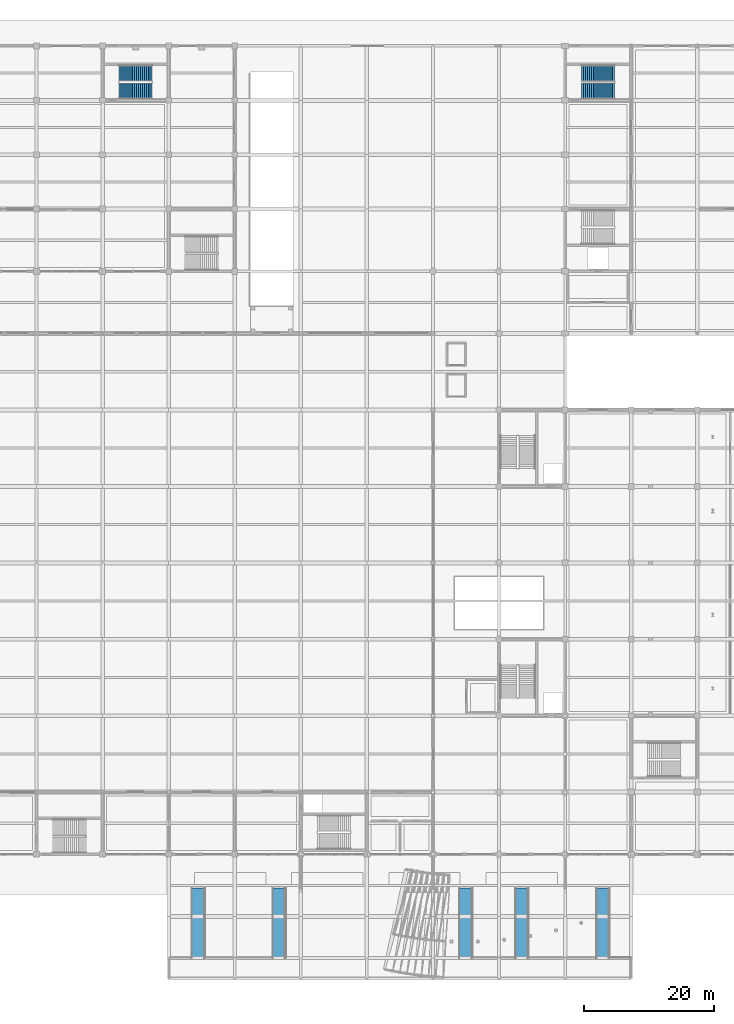
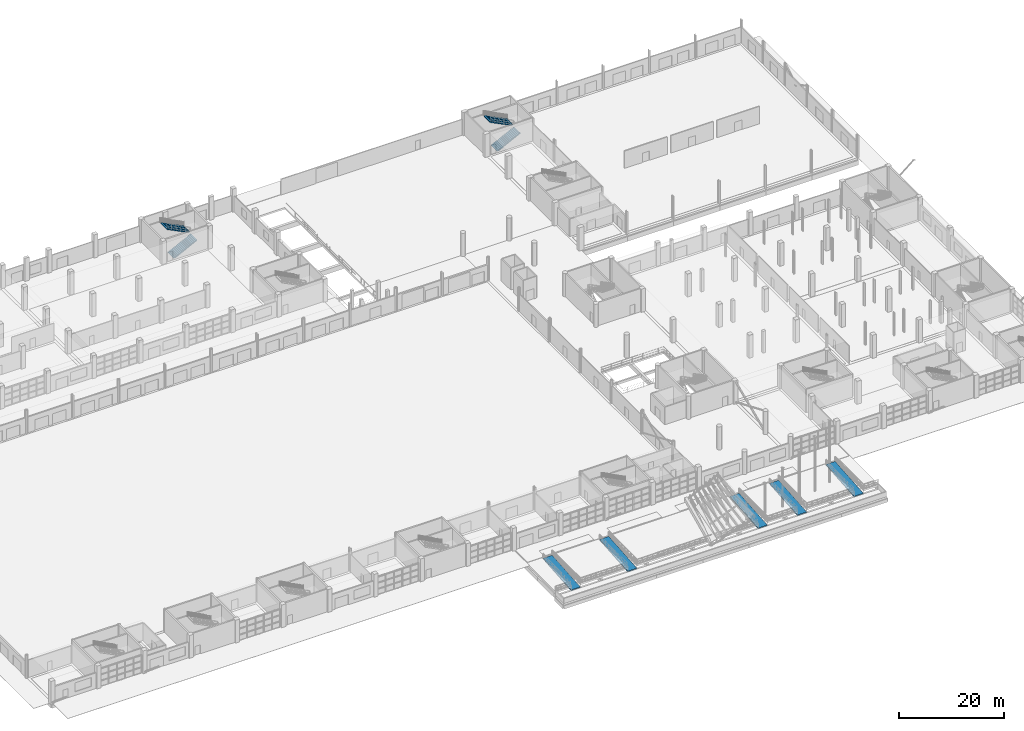
# One storey, part 102 of 124: 5 ramp flights, 4 stair flights, 7 elements without a shape of their own.
"""IFC4 building model written with IfcOpenShell, lengths in metres."""

from ifc_helpers import new_model, si_unit, direction, frame, origin, place, context, subcontext, project, spatial, polyline, outline, extrude, material, layer, layer_set, type_object, element, aggregate, save


model = new_model("IFC4")

# Units and contexts
model_context = context("Model", 3, precision=1e-05, world=origin(), true_north=direction((0.0, 1.0)))
body_context = subcontext(model_context, "Body", "Model", "MODEL_VIEW")
ifc_project = project(units=[si_unit("LENGTHUNIT", "METRE"), si_unit("AREAUNIT", "SQUARE_METRE"), si_unit("VOLUMEUNIT", "CUBIC_METRE"), si_unit("PLANEANGLEUNIT", "RADIAN"), si_unit("MASSUNIT", "GRAM", prefix="KILO")], contexts=[model_context])

# Site, building, storey
site_placement = place(None, origin())
site = spatial("IfcSite", under=ifc_project, at=site_placement, CompositionType="ELEMENT")
building_placement = place(site_placement, origin())
building = spatial("IfcBuilding", under=site, at=building_placement, Name="Brelvane Convention Centre", CompositionType="ELEMENT")
storey_placement = place(building_placement, origin())
storey = spatial("IfcBuildingStorey", under=building, at=storey_placement, Name="L00", CompositionType="ELEMENT", Elevation=0.0)

# Stair, stair flights
ifc_material_1 = material(Name="Concrete M40", Category="concrete")
stair_type = type_object("IfcStairType", Name="Exit Stair ST-CORE", PredefinedType="HALF_TURN_STAIR", material=ifc_material_1)
stair_1_placement = place(storey_placement, origin())
stair_1 = element("IfcStair", 1, at=stair_1_placement, inside=storey, type_object=stair_type, Name="Exit Stair ST-11 (L00 to L01)", PredefinedType="HALF_TURN_STAIR")
ifc_material_2 = material(Name="Concrete M40", Category="concrete")
stair_flight_type = type_object("IfcStairFlightType", Name="Stair Flight SF-C18", PredefinedType="STRAIGHT", material=ifc_material_2)
stair_flight_1_placement = place(storey_placement, frame((165.75, 137.030029296875, 0.0), z_axis=(0.0, 0.0, 1.0), x_axis=(1.0, 0.0, 0.0)))
stair_flight_1 = element("IfcStairFlight", 2, at=stair_flight_1_placement, type_object=stair_flight_type, Name="Stair ST-11 L00 Flight 1", NumberOfRisers=18, NumberOfTreads=17, PredefinedType="STRAIGHT", RiserHeight=0.15, TreadLength=0.3, context=body_context, shape_type="SweptSolid", body=[
    extrude(outline(polyline([(0.0, 0.0), (0.0, 0.14990234375), (0.300048828125, 0.14990234375), (0.300048828125, 0.300048828125), (0.60009765625, 0.300048828125), (0.60009765625, 0.449951171875), (0.89990234375, 0.449951171875), (0.89990234375, 0.60009765625), (1.199951171875, 0.60009765625), (1.199951171875, 0.75), (1.5, 0.75), (1.5, 0.89990234375), (1.800048828125, 0.89990234375), (1.800048828125, 1.050048828125), (2.10009765625, 1.050048828125), (2.10009765625, 1.199951171875), (2.39990234375, 1.199951171875), (2.39990234375, 1.35009765625), (2.699951171875, 1.35009765625), (2.699951171875, 1.5), (3.0, 1.5), (3.0, 1.64990234375), (3.300048828125, 1.64990234375), (3.300048828125, 1.800048828125), (3.60009765625, 1.800048828125), (3.60009765625, 1.949951171875), (3.89990234375, 1.949951171875), (3.89990234375, 2.10009765625), (4.199951171875, 2.10009765625), (4.199951171875, 2.25), (4.5, 2.25), (4.5, 2.39990234375), (4.800048828125, 2.39990234375), (4.800048828125, 2.550048828125), (5.10009765625, 2.550048828125), (5.10009765625, 2.699951171875), (5.10009765625, 2.348876953125), (0.40234375, 0.0), (0.0, 0.0)])), frame((0.0, 1.18994140625, 0.0), z_axis=(0.0, -1.0, 0.0), x_axis=(1.0, 0.0, 0.0)), (0.0, 0.0, 1.0), 2.3798828125),
])
stair_flight_2_placement = place(storey_placement, frame((170.85009765625, 139.77001953125, 2.699951171875), z_axis=(0.0, 0.0, 1.0), x_axis=(-1.0, 0.0, 0.0)))
stair_flight_2 = element("IfcStairFlight", 3, at=stair_flight_2_placement, type_object=stair_flight_type, Name="Stair ST-11 L00 Flight 2", NumberOfRisers=18, NumberOfTreads=17, PredefinedType="STRAIGHT", RiserHeight=0.15, TreadLength=0.3, context=body_context, shape_type="SweptSolid", body=[
    extrude(outline(polyline([(0.0, 0.0), (0.0, 0.14990234375), (0.300048828125, 0.14990234375), (0.300048828125, 0.300048828125), (0.60009765625, 0.300048828125), (0.60009765625, 0.449951171875), (0.89990234375, 0.449951171875), (0.89990234375, 0.60009765625), (1.199951171875, 0.60009765625), (1.199951171875, 0.75), (1.5, 0.75), (1.5, 0.89990234375), (1.800048828125, 0.89990234375), (1.800048828125, 1.050048828125), (2.10009765625, 1.050048828125), (2.10009765625, 1.199951171875), (2.39990234375, 1.199951171875), (2.39990234375, 1.35009765625), (2.699951171875, 1.35009765625), (2.699951171875, 1.5), (3.0, 1.5), (3.0, 1.64990234375), (3.300048828125, 1.64990234375), (3.300048828125, 1.800048828125), (3.60009765625, 1.800048828125), (3.60009765625, 1.949951171875), (3.89990234375, 1.949951171875), (3.89990234375, 2.10009765625), (4.199951171875, 2.10009765625), (4.199951171875, 2.25), (4.5, 2.25), (4.5, 2.39990234375), (4.800048828125, 2.39990234375), (4.800048828125, 2.550048828125), (5.10009765625, 2.550048828125), (5.10009765625, 2.699951171875), (5.10009765625, 2.348876953125), (0.40234375, 0.0), (0.0, 0.0)])), frame((0.0, 1.18994140625, 0.0), z_axis=(0.0, -1.0, 0.0), x_axis=(1.0, 0.0, 0.0)), (0.0, 0.0, 1.0), 2.3798828125),
])
aggregate(stair_1, [stair_flight_1, stair_flight_2])

stair_2_placement = place(storey_placement, origin())
stair_2 = element("IfcStair", 4, at=stair_2_placement, inside=storey, type_object=stair_type, Name="Exit Stair ST-12 (L00 to L01)", PredefinedType="HALF_TURN_STAIR")
stair_flight_3_placement = place(storey_placement, frame((94.35009765625, 137.030029296875, 0.0), z_axis=(0.0, 0.0, 1.0), x_axis=(1.0, 0.0, 0.0)))
stair_flight_3 = element("IfcStairFlight", 5, at=stair_flight_3_placement, type_object=stair_flight_type, Name="Stair ST-12 L00 Flight 1", NumberOfRisers=18, NumberOfTreads=17, PredefinedType="STRAIGHT", RiserHeight=0.15, TreadLength=0.3, context=body_context, shape_type="SweptSolid", body=[
    extrude(outline(polyline([(0.0, 0.0), (0.0, 0.14990234375), (0.300048828125, 0.14990234375), (0.300048828125, 0.300048828125), (0.60009765625, 0.300048828125), (0.60009765625, 0.449951171875), (0.89990234375, 0.449951171875), (0.89990234375, 0.60009765625), (1.199951171875, 0.60009765625), (1.199951171875, 0.75), (1.5, 0.75), (1.5, 0.89990234375), (1.800048828125, 0.89990234375), (1.800048828125, 1.050048828125), (2.10009765625, 1.050048828125), (2.10009765625, 1.199951171875), (2.39990234375, 1.199951171875), (2.39990234375, 1.35009765625), (2.699951171875, 1.35009765625), (2.699951171875, 1.5), (3.0, 1.5), (3.0, 1.64990234375), (3.300048828125, 1.64990234375), (3.300048828125, 1.800048828125), (3.60009765625, 1.800048828125), (3.60009765625, 1.949951171875), (3.89990234375, 1.949951171875), (3.89990234375, 2.10009765625), (4.199951171875, 2.10009765625), (4.199951171875, 2.25), (4.5, 2.25), (4.5, 2.39990234375), (4.800048828125, 2.39990234375), (4.800048828125, 2.550048828125), (5.10009765625, 2.550048828125), (5.10009765625, 2.699951171875), (5.10009765625, 2.348876953125), (0.40234375, 0.0), (0.0, 0.0)])), frame((0.0, 1.18994140625, 0.0), z_axis=(0.0, -1.0, 0.0), x_axis=(1.0, 0.0, 0.0)), (0.0, 0.0, 1.0), 2.3798828125),
])
stair_flight_4_placement = place(storey_placement, frame((99.449951171875, 139.77001953125, 2.699951171875), z_axis=(0.0, 0.0, 1.0), x_axis=(-1.0, 0.0, 0.0)))
stair_flight_4 = element("IfcStairFlight", 6, at=stair_flight_4_placement, type_object=stair_flight_type, Name="Stair ST-12 L00 Flight 2", NumberOfRisers=18, NumberOfTreads=17, PredefinedType="STRAIGHT", RiserHeight=0.15, TreadLength=0.3, context=body_context, shape_type="SweptSolid", body=[
    extrude(outline(polyline([(0.0, 0.0), (0.0, 0.14990234375), (0.300048828125, 0.14990234375), (0.300048828125, 0.300048828125), (0.60009765625, 0.300048828125), (0.60009765625, 0.449951171875), (0.89990234375, 0.449951171875), (0.89990234375, 0.60009765625), (1.199951171875, 0.60009765625), (1.199951171875, 0.75), (1.5, 0.75), (1.5, 0.89990234375), (1.800048828125, 0.89990234375), (1.800048828125, 1.050048828125), (2.10009765625, 1.050048828125), (2.10009765625, 1.199951171875), (2.39990234375, 1.199951171875), (2.39990234375, 1.35009765625), (2.699951171875, 1.35009765625), (2.699951171875, 1.5), (3.0, 1.5), (3.0, 1.64990234375), (3.300048828125, 1.64990234375), (3.300048828125, 1.800048828125), (3.60009765625, 1.800048828125), (3.60009765625, 1.949951171875), (3.89990234375, 1.949951171875), (3.89990234375, 2.10009765625), (4.199951171875, 2.10009765625), (4.199951171875, 2.25), (4.5, 2.25), (4.5, 2.39990234375), (4.800048828125, 2.39990234375), (4.800048828125, 2.550048828125), (5.10009765625, 2.550048828125), (5.10009765625, 2.699951171875), (5.10009765625, 2.348876953125), (0.40234375, 0.0), (0.0, 0.0)])), frame((0.0, 1.18994140625, 0.0), z_axis=(0.0, -1.0, 0.0), x_axis=(1.0, 0.0, 0.0)), (0.0, 0.0, 1.0), 2.3798828125),
])
aggregate(stair_2, [stair_flight_3, stair_flight_4])

# Ramp, ramp flight
ifc_material_3 = material(Name="Concrete M40", Category="concrete")
ramp_type_1 = type_object("IfcRampType", Name="Accessible Plinth Ramp AR-01", PredefinedType="STRAIGHT_RUN_RAMP", material=ifc_material_3)
ramp_1_placement = place(storey_placement, origin())
ramp_1 = element("IfcRamp", 7, at=ramp_1_placement, inside=storey, type_object=ramp_type_1, Name="Accessible Pedestrian Plinth Ramp AR-01", PredefinedType="STRAIGHT_RUN_RAMP")
ifc_material_4 = material(Name="Concrete M40", Category="concrete")
ifc_layer = layer(ifc_material_4, 0.239990234375)
ifc_layer_set = layer_set([ifc_layer], Name="Concrete M40")
ramp_flight_type = type_object("IfcRampFlightType", Name="Accessible Ramp Flight ARF-1", PredefinedType="STRAIGHT", material=ifc_layer_set)
ramp_flight_1_placement = place(storey_placement, frame((105.5, 3.199951171875, -0.89990234375), z_axis=(0.0, -0.083036158149, 0.99654653501), x_axis=(1.0, 0.0, 0.0)))
ramp_flight_1 = element("IfcRampFlight", 8, at=ramp_flight_1_placement, type_object=ramp_flight_type, Name="Accessible Plinth Ramp AR-01 Flight 1", PredefinedType="STRAIGHT", context=body_context, shape_type="SweptSolid", body=[
    extrude(outline(polyline([(0.0, 0.0), (2.0400390625, 0.0), (2.0400390625, 10.837475670937902), (0.0, 10.837475670937902), (0.0, 0.0)])), origin(), (0.0, 0.0, -1.0), 0.239990234375),
])
aggregate(ramp_1, [ramp_flight_1])

ifc_material_5 = material(Name="Concrete M40", Category="concrete")
ramp_type_2 = type_object("IfcRampType", Name="Accessible Plinth Ramp AR-02", PredefinedType="STRAIGHT_RUN_RAMP", material=ifc_material_5)
ramp_2_placement = place(storey_placement, origin())
ramp_2 = element("IfcRamp", 9, at=ramp_2_placement, inside=storey, type_object=ramp_type_2, Name="Accessible Pedestrian Plinth Ramp AR-02", PredefinedType="STRAIGHT_RUN_RAMP")
ramp_flight_2_placement = place(storey_placement, frame((118.0, 3.199951171875, -0.89990234375), z_axis=(0.0, -0.083036158149, 0.99654653501), x_axis=(1.0, 0.0, 0.0)))
ramp_flight_2 = element("IfcRampFlight", 10, at=ramp_flight_2_placement, type_object=ramp_flight_type, Name="Accessible Plinth Ramp AR-02 Flight 1", PredefinedType="STRAIGHT", context=body_context, shape_type="SweptSolid", body=[
    extrude(outline(polyline([(0.0, 0.0), (2.0400390625, 0.0), (2.0400390625, 10.837475670937902), (0.0, 10.837475670937902), (0.0, 0.0)])), origin(), (0.0, 0.0, -1.0), 0.239990234375),
])
aggregate(ramp_2, [ramp_flight_2])

ifc_material_6 = material(Name="Concrete M40", Category="concrete")
ramp_type_3 = type_object("IfcRampType", Name="Accessible Plinth Ramp AR-03", PredefinedType="STRAIGHT_RUN_RAMP", material=ifc_material_6)
ramp_3_placement = place(storey_placement, origin())
ramp_3 = element("IfcRamp", 11, at=ramp_3_placement, inside=storey, type_object=ramp_type_3, Name="Accessible Pedestrian Plinth Ramp AR-03", PredefinedType="STRAIGHT_RUN_RAMP")
ramp_flight_3_placement = place(storey_placement, frame((146.800048828125, 3.199951171875, -0.89990234375), z_axis=(0.0, -0.083036158149, 0.99654653501), x_axis=(1.0, 0.0, 0.0)))
ramp_flight_3 = element("IfcRampFlight", 12, at=ramp_flight_3_placement, type_object=ramp_flight_type, Name="Accessible Plinth Ramp AR-03 Flight 1", PredefinedType="STRAIGHT", context=body_context, shape_type="SweptSolid", body=[
    extrude(outline(polyline([(0.0, 0.0), (2.0400390625, 0.0), (2.0400390625, 10.837475670937902), (0.0, 10.837475670937902), (0.0, 0.0)])), origin(), (0.0, 0.0, -1.0), 0.239990234375),
])
aggregate(ramp_3, [ramp_flight_3])

ifc_material_7 = material(Name="Concrete M40", Category="concrete")
ramp_type_4 = type_object("IfcRampType", Name="Accessible Plinth Ramp AR-04", PredefinedType="STRAIGHT_RUN_RAMP", material=ifc_material_7)
ramp_4_placement = place(storey_placement, origin())
ramp_4 = element("IfcRamp", 13, at=ramp_4_placement, inside=storey, type_object=ramp_type_4, Name="Accessible Pedestrian Plinth Ramp AR-04", PredefinedType="STRAIGHT_RUN_RAMP")
ramp_flight_4_placement = place(storey_placement, frame((155.5, 3.199951171875, -0.89990234375), z_axis=(0.0, -0.083036158149, 0.99654653501), x_axis=(1.0, 0.0, 0.0)))
ramp_flight_4 = element("IfcRampFlight", 14, at=ramp_flight_4_placement, type_object=ramp_flight_type, Name="Accessible Plinth Ramp AR-04 Flight 1", PredefinedType="STRAIGHT", context=body_context, shape_type="SweptSolid", body=[
    extrude(outline(polyline([(0.0, 0.0), (2.0400390625, 0.0), (2.0400390625, 10.837475670937902), (0.0, 10.837475670937902), (0.0, 0.0)])), origin(), (0.0, 0.0, -1.0), 0.239990234375),
])
aggregate(ramp_4, [ramp_flight_4])

ifc_material_8 = material(Name="Concrete M40", Category="concrete")
ramp_type_5 = type_object("IfcRampType", Name="Accessible Plinth Ramp AR-05", PredefinedType="STRAIGHT_RUN_RAMP", material=ifc_material_8)
ramp_5_placement = place(storey_placement, origin())
ramp_5 = element("IfcRamp", 15, at=ramp_5_placement, inside=storey, type_object=ramp_type_5, Name="Accessible Pedestrian Plinth Ramp AR-05", PredefinedType="STRAIGHT_RUN_RAMP")
ramp_flight_5_placement = place(storey_placement, frame((168.0, 3.199951171875, -0.89990234375), z_axis=(0.0, -0.083036158149, 0.99654653501), x_axis=(1.0, 0.0, 0.0)))
ramp_flight_5 = element("IfcRampFlight", 16, at=ramp_flight_5_placement, type_object=ramp_flight_type, Name="Accessible Plinth Ramp AR-05 Flight 1", PredefinedType="STRAIGHT", context=body_context, shape_type="SweptSolid", body=[
    extrude(outline(polyline([(0.0, 0.0), (2.0400390625, 0.0), (2.0400390625, 10.837475670937902), (0.0, 10.837475670937902), (0.0, 0.0)])), origin(), (0.0, 0.0, -1.0), 0.239990234375),
])
aggregate(ramp_5, [ramp_flight_5])

save(model, "model.ifc")
